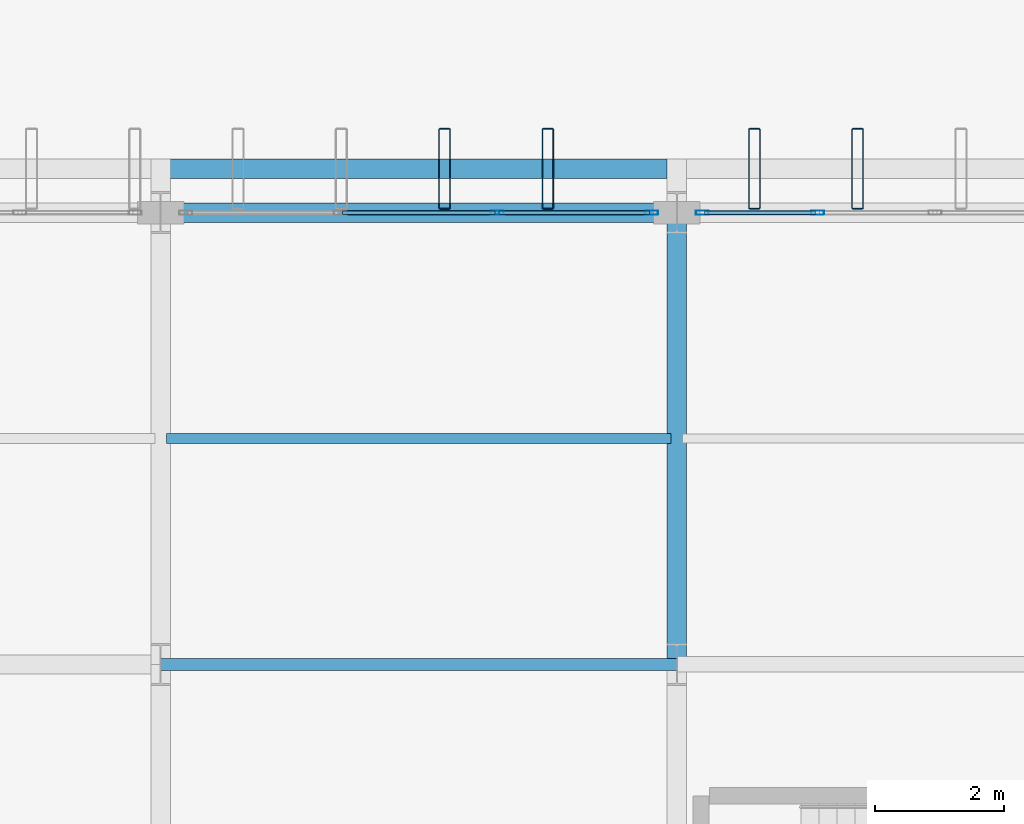
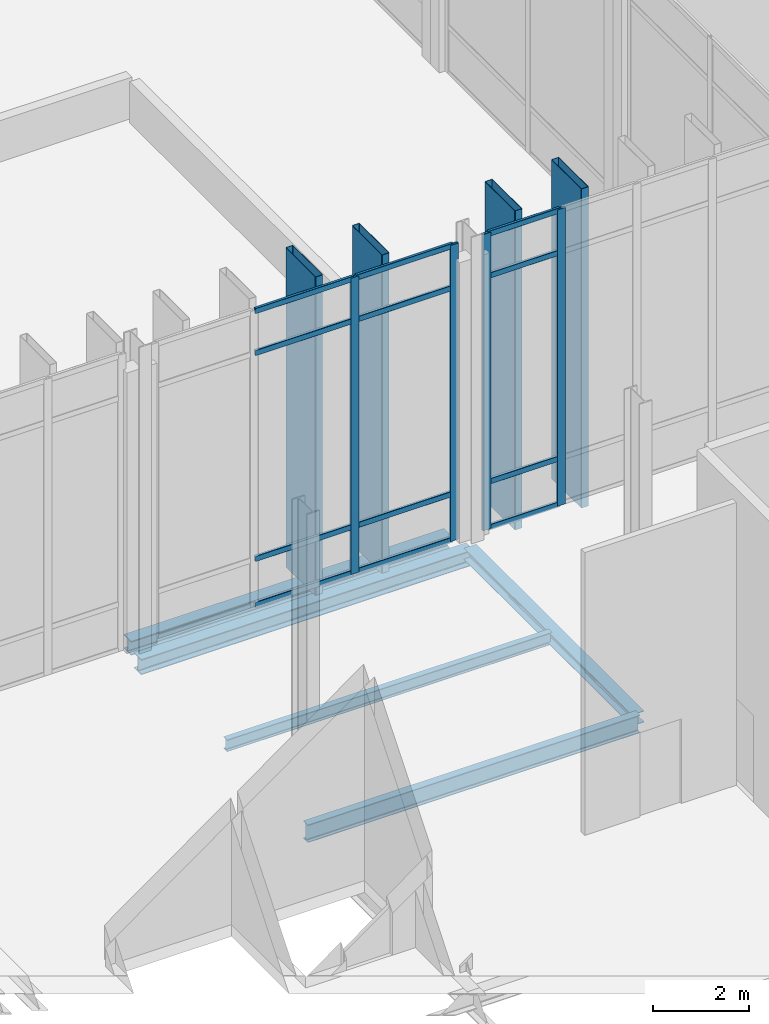
# One storey, part 61 of 176: 20 members, 5 beams, 2 elements without a shape of their own.
"""IFC4 building model written with IfcOpenShell, lengths in metres."""

from ifc_helpers import new_model, si_unit, direction, frame, origin, origin_2d, place, context, subcontext, project, spatial, hollow_rectangle, i_section, extrude, material, layer, layer_set, material_profile, profile_set, type_object, element, aggregate, save


model = new_model("IFC4")

# Units and contexts
model_context = context("Model", 3, precision=1e-05, world=origin(), true_north=direction((0.0, 1.0)))
body_context = subcontext(model_context, "Body", "Model", "MODEL_VIEW")
ifc_project = project(units=[si_unit("LENGTHUNIT", "METRE"), si_unit("AREAUNIT", "SQUARE_METRE"), si_unit("VOLUMEUNIT", "CUBIC_METRE"), si_unit("PLANEANGLEUNIT", "RADIAN"), si_unit("MASSUNIT", "GRAM", prefix="KILO")], contexts=[model_context])

# Site, building, storey
site_placement = place(None, origin())
site = spatial("IfcSite", under=ifc_project, at=site_placement, CompositionType="ELEMENT")
building_placement = place(site_placement, origin())
building = spatial("IfcBuilding", under=site, at=building_placement, Name="Vekula Escarpment Museum", CompositionType="ELEMENT")
storey_placement = place(building_placement, origin())
storey = spatial("IfcBuildingStorey", under=building, at=storey_placement, Name="L01", CompositionType="ELEMENT", Elevation=0.0)

# Beams
ifc_material_1 = material(Name="Steel S355", Category="steel")
ifc_material_profile_1 = material_profile(ifc_material_1, i_section(OverallWidth=0.300048828125, OverallDepth=0.360107421875, WebThickness=0.012451171875, FlangeThickness=0.0224609375, FilletRadius=0.027099609375, at=origin_2d()), Name="HEB 360")
ifc_profile_set_1 = profile_set([ifc_material_profile_1], Name="Steel S355")
beam_type_1 = type_object("IfcBeamType", Name="BM-GIRD-HEB360", PredefinedType="BEAM", material=ifc_profile_set_1)
beam_1_placement = place(storey_placement, frame((78.14990234375, 91.080078125, -0.47998046875), z_axis=(1.0, 0.0, 0.0), x_axis=(0.0, 1.0, 0.0)))
element("IfcBeam", 1, at=beam_1_placement, inside=storey, type_object=beam_type_1, Name="Solar Fin Sill Girder 011", PredefinedType="BEAM", context=body_context, shape_type="SweptSolid", body=[
    extrude(i_section(OverallWidth=0.300048828125, OverallDepth=0.360107421875, WebThickness=0.012451171875, FlangeThickness=0.0224609375, FilletRadius=0.027099609375, at=origin_2d()), origin(), (0.0, 0.0, 1.0), 7.7001953125),
])
ifc_material_2 = material(Name="Steel S355", Category="steel")
ifc_material_profile_2 = material_profile(ifc_material_2, i_section(OverallWidth=0.18994140625, OverallDepth=0.449951171875, WebThickness=0.009521484375, FlangeThickness=0.0146484375, FilletRadius=0.02099609375, at=origin_2d()), Name="IPE 450")
ifc_profile_set_2 = profile_set([ifc_material_profile_2], Name="Steel S355")
beam_type_2 = type_object("IfcBeamType", Name="BM-GIRD-IPE450", PredefinedType="BEAM", material=ifc_profile_set_2)
beam_2_placement = place(storey_placement, frame((78.0, 83.39990234375, -0.52490234375), z_axis=(1.0, 0.0, 0.0), x_axis=(0.0, 1.0, 0.0)))
element("IfcBeam", 2, at=beam_2_placement, inside=storey, type_object=beam_type_2, Name="Beam X L01 0239", PredefinedType="BEAM", context=body_context, shape_type="SweptSolid", body=[
    extrude(i_section(OverallWidth=0.18994140625, OverallDepth=0.449951171875, WebThickness=0.009521484375, FlangeThickness=0.0146484375, FilletRadius=0.02099609375, at=origin_2d()), origin(), (0.0, 0.0, 1.0), 8.0),
])
ifc_material_3 = material(Name="Steel S355", Category="steel")
ifc_material_profile_3 = material_profile(ifc_material_3, i_section(OverallWidth=0.14990234375, OverallDepth=0.300048828125, WebThickness=0.007080078125, FlangeThickness=0.0107421875, FilletRadius=0.014892578125, at=origin_2d()), Name="IPE 300")
ifc_profile_set_3 = profile_set([ifc_material_profile_3], Name="Steel S355")
beam_type_3 = type_object("IfcBeamType", Name="BM-JST-IPE300", PredefinedType="JOIST", material=ifc_profile_set_3)
beam_3_placement = place(storey_placement, frame((78.090087890625, 86.89990234375, -0.449951171875), z_axis=(1.0, 0.0, 0.0), x_axis=(0.0, 1.0, 0.0)))
element("IfcBeam", 3, at=beam_3_placement, inside=storey, type_object=beam_type_3, Name="Secondary Joist L01 0264", PredefinedType="JOIST", context=body_context, shape_type="SweptSolid", body=[
    extrude(i_section(OverallWidth=0.14990234375, OverallDepth=0.300048828125, WebThickness=0.007080078125, FlangeThickness=0.0107421875, FilletRadius=0.014892578125, at=origin_2d()), origin(), (0.0, 0.0, 1.0), 7.81982421875),
])
ifc_material_4 = material(Name="Steel S355", Category="steel")
ifc_material_profile_4 = material_profile(ifc_material_4, i_section(OverallWidth=0.300048828125, OverallDepth=0.2900390625, WebThickness=0.008544921875, FlangeThickness=0.013916015625, FilletRadius=0.027099609375, at=origin_2d()), Name="HEA 300")
ifc_profile_set_4 = profile_set([ifc_material_profile_4], Name="Steel S355")
beam_type_4 = type_object("IfcBeamType", Name="BM-SPAN-HEA300", PredefinedType="SPANDREL", material=ifc_profile_set_4)
beam_4_placement = place(storey_placement, frame((86.0, 83.39990234375, -0.445068359375), z_axis=(0.0, 1.0, 0.0), x_axis=(-1.0, 0.0, 0.0)))
element("IfcBeam", 4, at=beam_4_placement, inside=storey, type_object=beam_type_4, Name="Beam Y L01 0572", PredefinedType="SPANDREL", context=body_context, shape_type="SweptSolid", body=[
    extrude(i_section(OverallWidth=0.300048828125, OverallDepth=0.2900390625, WebThickness=0.008544921875, FlangeThickness=0.013916015625, FilletRadius=0.027099609375, at=origin_2d()), origin(), (0.0, 0.0, 1.0), 7.0),
])
ifc_material_5 = material(Name="Steel S355", Category="steel")
ifc_material_profile_5 = material_profile(ifc_material_5, i_section(OverallWidth=0.300048828125, OverallDepth=0.389892578125, WebThickness=0.010986328125, FlangeThickness=0.01904296875, FilletRadius=0.027099609375, at=origin_2d()), Name="HEA 400")
ifc_profile_set_5 = profile_set([ifc_material_profile_5], Name="Steel S355")
beam_type_5 = type_object("IfcBeamType", Name="BM-SPAN-HEA400", PredefinedType="SPANDREL", material=ifc_profile_set_5)
beam_5_placement = place(storey_placement, frame((78.0, 90.39990234375, -0.4951171875), z_axis=(1.0, 0.0, 0.0), x_axis=(0.0, 1.0, 0.0)))
element("IfcBeam", 5, at=beam_5_placement, inside=storey, type_object=beam_type_5, Name="Beam X L01 0258", PredefinedType="SPANDREL", context=body_context, shape_type="SweptSolid", body=[
    extrude(i_section(OverallWidth=0.300048828125, OverallDepth=0.389892578125, WebThickness=0.010986328125, FlangeThickness=0.01904296875, FilletRadius=0.027099609375, at=origin_2d()), origin(), (0.0, 0.0, 1.0), 8.0),
])

# Curtain wall, members
ifc_material_6 = material(Name="Aluminium thermally broken framing", Category="aluminium")
ifc_layer_1 = layer(ifc_material_6, 0.14990234375)
ifc_layer_set_1 = layer_set([ifc_layer_1], Name="Aluminium thermally broken framing")
curtain_wall_type_1 = type_object("IfcCurtainWallType", Name="CW-SYS-09", PredefinedType="NOTDEFINED", material=ifc_layer_set_1)
curtain_wall_1_placement = place(storey_placement, origin())
curtain_wall_1 = element("IfcCurtainWall", 6, at=curtain_wall_1_placement, inside=storey, type_object=curtain_wall_type_1, Name="Curtain Wall CW-L01-039", PredefinedType="NOTDEFINED")
ifc_material_7 = material(Name="Aluminium anodized mullion", Category="aluminium")
ifc_material_profile_6 = material_profile(ifc_material_7, hollow_rectangle(XDim=0.06494140625, YDim=0.199951171875, WallThickness=0.00390625, InnerFilletRadius=0.00390625, OuterFilletRadius=0.008056640625, at=origin_2d()), Name="ALU 200x65x4")
ifc_profile_set_6 = profile_set([ifc_material_profile_6], Name="Aluminium anodized mullion")
member_type_1 = type_object("IfcMemberType", Name="CW-MUL-200", PredefinedType="MULLION", material=ifc_profile_set_6)
member_1_placement = place(storey_placement, frame((88.179931640625, 90.39990234375, 0.0), z_axis=(0.0, 0.0, 1.0), x_axis=(0.0, -1.0, 0.0)))
member_1 = element("IfcMember", 7, at=member_1_placement, type_object=member_type_1, Name="CW-09 mullion 4", PredefinedType="MULLION", context=body_context, shape_type="SweptSolid", body=[
    extrude(hollow_rectangle(XDim=0.06494140625, YDim=0.199951171875, WallThickness=0.00390625, InnerFilletRadius=0.00390625, OuterFilletRadius=0.008056640625, at=origin_2d()), origin(), (0.0, 0.0, 1.0), 7.5400390625),
])
member_2_placement = place(storey_placement, frame((86.392578125, 90.39990234375, 0.0), z_axis=(0.0, 0.0, 1.0), x_axis=(0.0, -1.0, 0.0)))
member_2 = element("IfcMember", 8, at=member_2_placement, type_object=member_type_1, Name="CW-09 mullion 5", PredefinedType="MULLION", context=body_context, shape_type="SweptSolid", body=[
    extrude(hollow_rectangle(XDim=0.06494140625, YDim=0.199951171875, WallThickness=0.00390625, InnerFilletRadius=0.00390625, OuterFilletRadius=0.008056640625, at=origin_2d()), origin(), (0.0, 0.0, 1.0), 7.5400390625),
])

ifc_material_8 = material(Name="Aluminium thermally broken framing", Category="aluminium")
ifc_layer_2 = layer(ifc_material_8, 0.169921875)
ifc_layer_set_2 = layer_set([ifc_layer_2], Name="Aluminium thermally broken framing")
curtain_wall_type_2 = type_object("IfcCurtainWallType", Name="CW-SYS-10", PredefinedType="NOTDEFINED", material=ifc_layer_set_2)
curtain_wall_2_placement = place(storey_placement, origin())
curtain_wall_2 = element("IfcCurtainWall", 9, at=curtain_wall_2_placement, inside=storey, type_object=curtain_wall_type_2, Name="Curtain Wall CW-L01-040", PredefinedType="NOTDEFINED")
member_3_placement = place(storey_placement, frame((85.607421875, 90.39990234375, 0.0), z_axis=(0.0, 0.0, 1.0), x_axis=(0.0, -1.0, 0.0)))
member_3 = element("IfcMember", 10, at=member_3_placement, type_object=member_type_1, Name="CW-10 mullion 1", PredefinedType="MULLION", context=body_context, shape_type="SweptSolid", body=[
    extrude(hollow_rectangle(XDim=0.06494140625, YDim=0.199951171875, WallThickness=0.00390625, InnerFilletRadius=0.00390625, OuterFilletRadius=0.008056640625, at=origin_2d()), origin(), (0.0, 0.0, 1.0), 7.5400390625),
])
member_4_placement = place(storey_placement, frame((83.21337890625, 90.39990234375, 0.0), z_axis=(0.0, 0.0, 1.0), x_axis=(0.0, -1.0, 0.0)))
member_4 = element("IfcMember", 11, at=member_4_placement, type_object=member_type_1, Name="CW-10 mullion 2", PredefinedType="MULLION", context=body_context, shape_type="SweptSolid", body=[
    extrude(hollow_rectangle(XDim=0.06494140625, YDim=0.199951171875, WallThickness=0.00390625, InnerFilletRadius=0.00390625, OuterFilletRadius=0.008056640625, at=origin_2d()), origin(), (0.0, 0.0, 1.0), 7.5400390625),
])

# Member
ifc_material_9 = material(Name="Aluminium anodized transom", Category="aluminium")
ifc_material_profile_7 = material_profile(ifc_material_9, hollow_rectangle(XDim=0.06494140625, YDim=0.139892578125, WallThickness=0.00390625, InnerFilletRadius=0.00390625, OuterFilletRadius=0.008056640625, at=origin_2d()), Name="ALU 140x65x4")
ifc_profile_set_7 = profile_set([ifc_material_profile_7], Name="Aluminium anodized transom")
member_type_2 = type_object("IfcMemberType", Name="CW-TRN-140", PredefinedType="USERDEFINED", material=ifc_profile_set_7)
member_5_placement = place(storey_placement, frame((88.1474609375, 90.39990234375, 0.032470703125), z_axis=(-1.0, 0.0, 0.0), x_axis=(0.0, -1.0, 0.0)))
member_5 = element("IfcMember", 12, at=member_5_placement, type_object=member_type_2, Name="CW-09 transom 4.1", ObjectType="TRANSOM", PredefinedType="USERDEFINED", context=body_context, shape_type="SweptSolid", body=[
    extrude(hollow_rectangle(XDim=0.06494140625, YDim=0.139892578125, WallThickness=0.00390625, InnerFilletRadius=0.00390625, OuterFilletRadius=0.008056640625, at=origin_2d()), origin(), (0.0, 0.0, 1.0), 1.722412109375),
])

member_6_placement = place(storey_placement, frame((88.1474609375, 90.39990234375, 1.199951171875), z_axis=(-1.0, 0.0, 0.0), x_axis=(0.0, -1.0, 0.0)))
member_6 = element("IfcMember", 13, at=member_6_placement, type_object=member_type_2, Name="CW-09 transom 4.2", ObjectType="TRANSOM", PredefinedType="USERDEFINED", context=body_context, shape_type="SweptSolid", body=[
    extrude(hollow_rectangle(XDim=0.06494140625, YDim=0.139892578125, WallThickness=0.00390625, InnerFilletRadius=0.00390625, OuterFilletRadius=0.008056640625, at=origin_2d()), origin(), (0.0, 0.0, 1.0), 1.722412109375),
])

member_7_placement = place(storey_placement, frame((88.1474609375, 90.39990234375, 6.43994140625), z_axis=(-1.0, 0.0, 0.0), x_axis=(0.0, -1.0, 0.0)))
member_7 = element("IfcMember", 14, at=member_7_placement, type_object=member_type_2, Name="CW-09 transom 4.3", ObjectType="TRANSOM", PredefinedType="USERDEFINED", context=body_context, shape_type="SweptSolid", body=[
    extrude(hollow_rectangle(XDim=0.06494140625, YDim=0.139892578125, WallThickness=0.00390625, InnerFilletRadius=0.00390625, OuterFilletRadius=0.008056640625, at=origin_2d()), origin(), (0.0, 0.0, 1.0), 1.722412109375),
])

member_8_placement = place(storey_placement, frame((88.1474609375, 90.39990234375, 7.507568359375), z_axis=(-1.0, 0.0, 0.0), x_axis=(0.0, -1.0, 0.0)))
member_8 = element("IfcMember", 15, at=member_8_placement, type_object=member_type_2, Name="CW-09 transom 4.4", ObjectType="TRANSOM", PredefinedType="USERDEFINED", context=body_context, shape_type="SweptSolid", body=[
    extrude(hollow_rectangle(XDim=0.06494140625, YDim=0.139892578125, WallThickness=0.00390625, InnerFilletRadius=0.00390625, OuterFilletRadius=0.008056640625, at=origin_2d()), origin(), (0.0, 0.0, 1.0), 1.722412109375),
])

aggregate(curtain_wall_1, [member_1, member_2, member_5, member_6, member_7, member_8])

member_9_placement = place(storey_placement, frame((85.574951171875, 90.39990234375, 0.032470703125), z_axis=(-1.0, 0.0, 0.0), x_axis=(0.0, -1.0, 0.0)))
member_9 = element("IfcMember", 16, at=member_9_placement, type_object=member_type_2, Name="CW-10 transom 1.1", ObjectType="TRANSOM", PredefinedType="USERDEFINED", context=body_context, shape_type="SweptSolid", body=[
    extrude(hollow_rectangle(XDim=0.06494140625, YDim=0.139892578125, WallThickness=0.00390625, InnerFilletRadius=0.00390625, OuterFilletRadius=0.008056640625, at=origin_2d()), origin(), (0.0, 0.0, 1.0), 2.3291015625),
])

member_10_placement = place(storey_placement, frame((85.574951171875, 90.39990234375, 1.199951171875), z_axis=(-1.0, 0.0, 0.0), x_axis=(0.0, -1.0, 0.0)))
member_10 = element("IfcMember", 17, at=member_10_placement, type_object=member_type_2, Name="CW-10 transom 1.2", ObjectType="TRANSOM", PredefinedType="USERDEFINED", context=body_context, shape_type="SweptSolid", body=[
    extrude(hollow_rectangle(XDim=0.06494140625, YDim=0.139892578125, WallThickness=0.00390625, InnerFilletRadius=0.00390625, OuterFilletRadius=0.008056640625, at=origin_2d()), origin(), (0.0, 0.0, 1.0), 2.3291015625),
])

member_11_placement = place(storey_placement, frame((85.574951171875, 90.39990234375, 6.43994140625), z_axis=(-1.0, 0.0, 0.0), x_axis=(0.0, -1.0, 0.0)))
member_11 = element("IfcMember", 18, at=member_11_placement, type_object=member_type_2, Name="CW-10 transom 1.3", ObjectType="TRANSOM", PredefinedType="USERDEFINED", context=body_context, shape_type="SweptSolid", body=[
    extrude(hollow_rectangle(XDim=0.06494140625, YDim=0.139892578125, WallThickness=0.00390625, InnerFilletRadius=0.00390625, OuterFilletRadius=0.008056640625, at=origin_2d()), origin(), (0.0, 0.0, 1.0), 2.3291015625),
])

member_12_placement = place(storey_placement, frame((85.574951171875, 90.39990234375, 7.507568359375), z_axis=(-1.0, 0.0, 0.0), x_axis=(0.0, -1.0, 0.0)))
member_12 = element("IfcMember", 19, at=member_12_placement, type_object=member_type_2, Name="CW-10 transom 1.4", ObjectType="TRANSOM", PredefinedType="USERDEFINED", context=body_context, shape_type="SweptSolid", body=[
    extrude(hollow_rectangle(XDim=0.06494140625, YDim=0.139892578125, WallThickness=0.00390625, InnerFilletRadius=0.00390625, OuterFilletRadius=0.008056640625, at=origin_2d()), origin(), (0.0, 0.0, 1.0), 2.3291015625),
])

member_13_placement = place(storey_placement, frame((83.180908203125, 90.39990234375, 0.032470703125), z_axis=(-1.0, 0.0, 0.0), x_axis=(0.0, -1.0, 0.0)))
member_13 = element("IfcMember", 20, at=member_13_placement, type_object=member_type_2, Name="CW-10 transom 2.1", ObjectType="TRANSOM", PredefinedType="USERDEFINED", context=body_context, shape_type="SweptSolid", body=[
    extrude(hollow_rectangle(XDim=0.06494140625, YDim=0.139892578125, WallThickness=0.00390625, InnerFilletRadius=0.00390625, OuterFilletRadius=0.008056640625, at=origin_2d()), origin(), (0.0, 0.0, 1.0), 2.36181640625),
])

member_14_placement = place(storey_placement, frame((83.180908203125, 90.39990234375, 1.199951171875), z_axis=(-1.0, 0.0, 0.0), x_axis=(0.0, -1.0, 0.0)))
member_14 = element("IfcMember", 21, at=member_14_placement, type_object=member_type_2, Name="CW-10 transom 2.2", ObjectType="TRANSOM", PredefinedType="USERDEFINED", context=body_context, shape_type="SweptSolid", body=[
    extrude(hollow_rectangle(XDim=0.06494140625, YDim=0.139892578125, WallThickness=0.00390625, InnerFilletRadius=0.00390625, OuterFilletRadius=0.008056640625, at=origin_2d()), origin(), (0.0, 0.0, 1.0), 2.36181640625),
])

member_15_placement = place(storey_placement, frame((83.180908203125, 90.39990234375, 6.43994140625), z_axis=(-1.0, 0.0, 0.0), x_axis=(0.0, -1.0, 0.0)))
member_15 = element("IfcMember", 22, at=member_15_placement, type_object=member_type_2, Name="CW-10 transom 2.3", ObjectType="TRANSOM", PredefinedType="USERDEFINED", context=body_context, shape_type="SweptSolid", body=[
    extrude(hollow_rectangle(XDim=0.06494140625, YDim=0.139892578125, WallThickness=0.00390625, InnerFilletRadius=0.00390625, OuterFilletRadius=0.008056640625, at=origin_2d()), origin(), (0.0, 0.0, 1.0), 2.36181640625),
])

member_16_placement = place(storey_placement, frame((83.180908203125, 90.39990234375, 7.507568359375), z_axis=(-1.0, 0.0, 0.0), x_axis=(0.0, -1.0, 0.0)))
member_16 = element("IfcMember", 23, at=member_16_placement, type_object=member_type_2, Name="CW-10 transom 2.4", ObjectType="TRANSOM", PredefinedType="USERDEFINED", context=body_context, shape_type="SweptSolid", body=[
    extrude(hollow_rectangle(XDim=0.06494140625, YDim=0.139892578125, WallThickness=0.00390625, InnerFilletRadius=0.00390625, OuterFilletRadius=0.008056640625, at=origin_2d()), origin(), (0.0, 0.0, 1.0), 2.36181640625),
])

aggregate(curtain_wall_2, [member_3, member_4, member_9, member_10, member_11, member_12, member_13, member_14, member_15, member_16])

# Members
ifc_material_10 = material(Name="Steel S355 weathered bronze solar fin", Category="steel")
ifc_material_profile_8 = material_profile(ifc_material_10, hollow_rectangle(XDim=0.179931640625, YDim=1.25, WallThickness=0.010009765625, InnerFilletRadius=0.010009765625, OuterFilletRadius=0.02001953125, at=origin_2d()), Name="RHS 1250x180x10")
ifc_profile_set_8 = profile_set([ifc_material_profile_8], Name="Steel S355 weathered bronze solar fin")
member_type_3 = type_object("IfcMemberType", Name="MB-SOLAR-FIN", PredefinedType="USERDEFINED", material=ifc_profile_set_8)
for number, where, z_axis, x_axis, name in (
    (24, (82.39990234375, 91.080078125, -0.320068359375), (0.0, 0.0, 1.0), (1.0, 0.0, 0.0), "Great Hall Vertical Solar Fin 0166"),
    (25, (84.0, 91.080078125, -0.320068359375), (0.0, 0.0, 1.0), (1.0, 0.0, 0.0), "Great Hall Vertical Solar Fin 0171"),
    (26, (87.199951171875, 91.080078125, -0.320068359375), (0.0, 0.0, 1.0), (1.0, 0.0, 0.0), "Great Hall Vertical Solar Fin 0176"),
    (27, (88.800048828125, 91.080078125, -0.320068359375), (0.0, 0.0, 1.0), (1.0, 0.0, 0.0), "Great Hall Vertical Solar Fin 0181"),
):
    element("IfcMember", number, at=place(storey_placement, frame(where, z_axis=z_axis, x_axis=x_axis)), inside=storey, type_object=member_type_3, Name=name, ObjectType="SOLAR FIN", PredefinedType="USERDEFINED", context=body_context, shape_type="SweptSolid", body=[
        extrude(hollow_rectangle(XDim=0.179931640625, YDim=1.25, WallThickness=0.010009765625, InnerFilletRadius=0.010009765625, OuterFilletRadius=0.02001953125, at=origin_2d()), origin(), (0.0, 0.0, 1.0), 8.1201171875),
    ])

save(model, "model.ifc")
